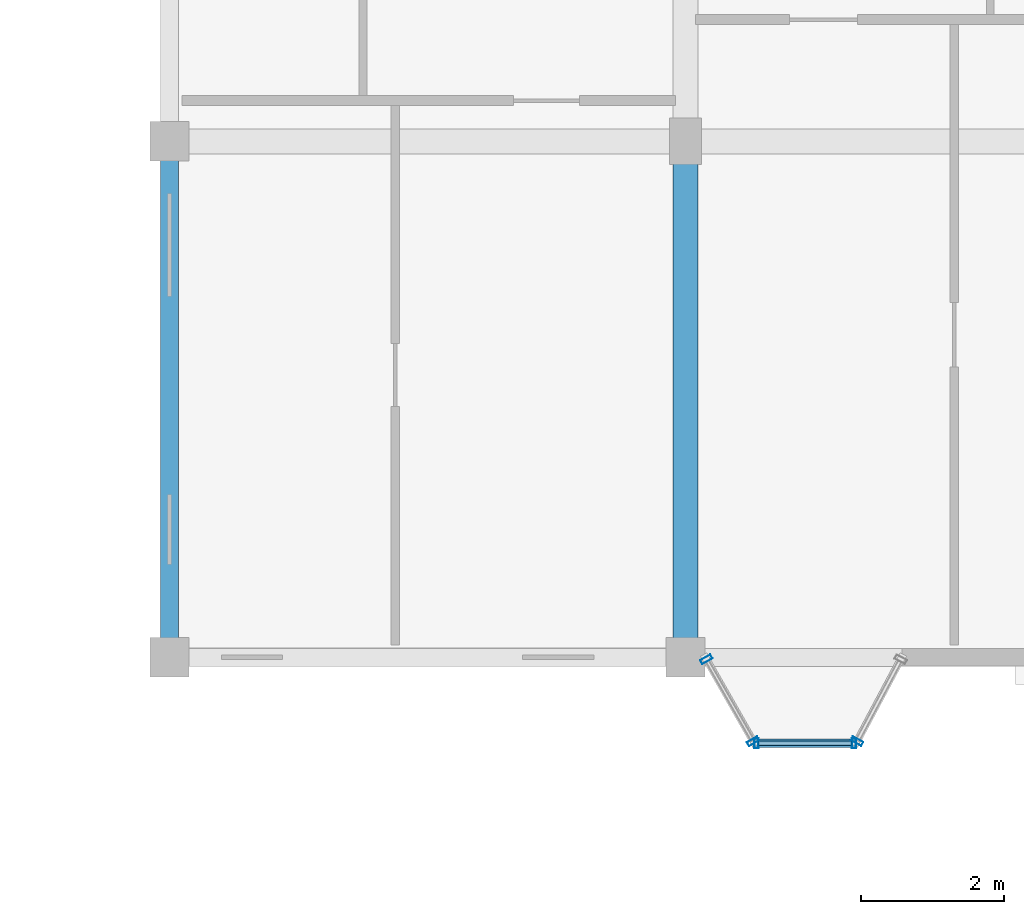
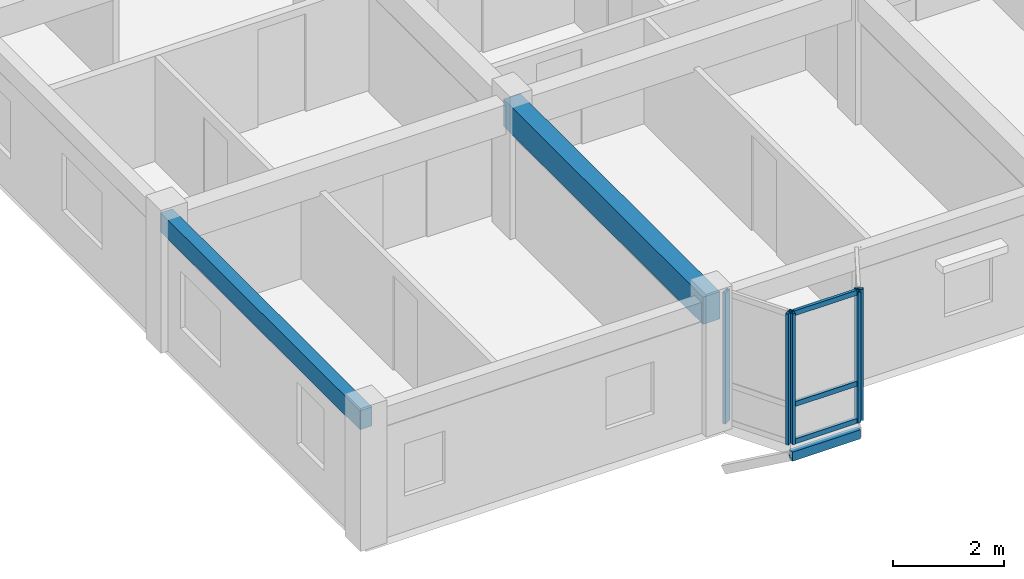
# One storey, part 32 of 77: 9 members, 2 beams, 3 elements without a shape of their own.
"""IFC4 building model written with IfcOpenShell, lengths in metres."""

from ifc_helpers import new_model, si_unit, direction, frame, origin, origin_2d, place, context, subcontext, project, spatial, rectangle, hollow_rectangle, extrude, material, layer, layer_set, material_profile, profile_set, type_object, element, aggregate, save


model = new_model("IFC4")

# Units and contexts
model_context = context("Model", 3, precision=1e-05, world=origin(), true_north=direction((0.0, 1.0)))
body_context = subcontext(model_context, "Body", "Model", "MODEL_VIEW")
ifc_project = project(units=[si_unit("LENGTHUNIT", "METRE"), si_unit("AREAUNIT", "SQUARE_METRE"), si_unit("VOLUMEUNIT", "CUBIC_METRE"), si_unit("PLANEANGLEUNIT", "RADIAN"), si_unit("MASSUNIT", "GRAM", prefix="KILO"), si_unit("THERMODYNAMICTEMPERATUREUNIT", "KELVIN"), si_unit("POWERUNIT", "WATT")], contexts=[model_context])

# Site, building, storey
site_placement = place(None, origin())
site = spatial("IfcSite", under=ifc_project, at=site_placement, CompositionType="ELEMENT")
building_placement = place(site_placement, origin())
building = spatial("IfcBuilding", under=site, at=building_placement, Name="Tavuni Mirador Residences", CompositionType="ELEMENT")
storey_placement = place(building_placement, frame((0.0, 0.0, 17.10009765625)))
storey = spatial("IfcBuildingStorey", under=building, at=storey_placement, Name="L05", CompositionType="ELEMENT", Elevation=17.10009765625)

# Beams
ifc_material_1 = material(Name="Precast concrete C40/50", Category="concrete")
ifc_material_profile_1 = material_profile(ifc_material_1, rectangle(XDim=0.35009765625, YDim=0.60009765625, at=origin_2d()), Name="PC 350x600", Category="concrete")
ifc_profile_set_1 = profile_set([ifc_material_profile_1], Name="Precast concrete C40/50")
beam_type_1 = type_object("IfcBeamType", Name="BT-B600", PredefinedType="BEAM", material=ifc_profile_set_1)
beam_1_placement = place(storey_placement, frame((18.0, 144.0, 2.5849609375), z_axis=(0.0, 1.0, 0.0), x_axis=(-1.0, 0.0, 0.0)))
element("IfcBeam", 1, at=beam_1_placement, inside=storey, type_object=beam_type_1, Name="BMY-BLK-C-L05-01-00", PredefinedType="BEAM", context=body_context, shape_type="SweptSolid", body=[
    extrude(rectangle(XDim=0.35009765625, YDim=0.60009765625, at=origin_2d()), origin(), (0.0, 0.0, 1.0), 7.199951171875),
])
ifc_material_profile_2 = material_profile(ifc_material_1, rectangle(XDim=0.25, YDim=0.419921875, at=origin_2d()), Name="PC 250x420", Category="concrete")
ifc_profile_set_2 = profile_set([ifc_material_profile_2], Name="Precast concrete C40/50")
beam_type_2 = type_object("IfcBeamType", Name="BT-SP420", PredefinedType="SPANDREL", material=ifc_profile_set_2)
beam_2_placement = place(storey_placement, frame((10.800048828125, 144.0, 2.6748046875), z_axis=(0.0, 1.0, 0.0), x_axis=(-1.0, 0.0, 0.0)))
element("IfcBeam", 2, at=beam_2_placement, inside=storey, type_object=beam_type_2, Name="BMY-BLK-C-L05-00-00", PredefinedType="SPANDREL", context=body_context, shape_type="SweptSolid", body=[
    extrude(rectangle(XDim=0.25, YDim=0.419921875, at=origin_2d()), origin(), (0.0, 0.0, 1.0), 7.199951171875),
])

# Curtain wall, members
ifc_material_2 = material(Name="Anodised aluminium", Category="aluminium")
ifc_layer_1 = layer(ifc_material_2, 0.175048828125, Name="Anodised aluminium", Category="aluminium")
ifc_layer_set_1 = layer_set([ifc_layer_1], Name="Anodised aluminium")
curtain_wall_type_1 = type_object("IfcCurtainWallType", Name="CWT-MIR-C", PredefinedType="NOTDEFINED", material=ifc_layer_set_1)
curtain_wall_1_placement = place(storey_placement, origin())
curtain_wall_1 = element("IfcCurtainWall", 3, at=curtain_wall_1_placement, inside=storey, type_object=curtain_wall_type_1, Name="CW-MIR-C-S1-L05-MF", PredefinedType="NOTDEFINED")
ifc_material_profile_3 = material_profile(ifc_material_2, hollow_rectangle(XDim=0.06005859375, YDim=0.139892578125, WallThickness=0.00390625, at=origin_2d()), Name="ALU 60x140x4.0", Category="aluminium")
ifc_profile_set_3 = profile_set([ifc_material_profile_3], Name="Anodised aluminium")
member_type_1 = type_object("IfcMemberType", Name="CWM-140", PredefinedType="MULLION", material=ifc_profile_set_3)
member_1_placement = place(storey_placement, frame((18.989990234375, 142.800048828125, 0.0), z_axis=(0.0, 0.0, 1.0), x_axis=(1.0, 0.0, 0.0)))
member_1 = element("IfcMember", 4, at=member_1_placement, type_object=member_type_1, Name="CW-03 mullion 1", PredefinedType="MULLION", context=body_context, shape_type="SweptSolid", body=[
    extrude(hollow_rectangle(XDim=0.06005859375, YDim=0.139892578125, WallThickness=0.00390625, at=origin_2d()), origin(), (0.0, 0.0, 1.0), 2.885009765625),
])
member_2_placement = place(storey_placement, frame((20.35009765625, 142.800048828125, 0.0), z_axis=(0.0, 0.0, 1.0), x_axis=(1.0, 0.0, 0.0)))
member_2 = element("IfcMember", 5, at=member_2_placement, type_object=member_type_1, Name="CW-03 mullion 2", PredefinedType="MULLION", context=body_context, shape_type="SweptSolid", body=[
    extrude(hollow_rectangle(XDim=0.06005859375, YDim=0.139892578125, WallThickness=0.00390625, at=origin_2d()), origin(), (0.0, 0.0, 1.0), 2.885009765625),
])

ifc_layer_2 = layer(ifc_material_2, 0.14990234375, Name="Anodised aluminium", Category="aluminium")
ifc_layer_set_2 = layer_set([ifc_layer_2], Name="Anodised aluminium")
curtain_wall_type_2 = type_object("IfcCurtainWallType", Name="CWT-MIR-B", PredefinedType="NOTDEFINED", material=ifc_layer_set_2)
curtain_wall_2_placement = place(storey_placement, origin())
curtain_wall_2 = element("IfcCurtainWall", 6, at=curtain_wall_2_placement, inside=storey, type_object=curtain_wall_type_2, Name="CW-MIR-C-S1-L05-M1", PredefinedType="NOTDEFINED")
ifc_material_profile_4 = material_profile(ifc_material_2, hollow_rectangle(XDim=0.06494140625, YDim=0.1650390625, WallThickness=0.00439453125, at=origin_2d()), Name="ALU 65x165x4.5", Category="aluminium")
ifc_profile_set_4 = profile_set([ifc_material_profile_4], Name="Anodised aluminium")
member_type_2 = type_object("IfcMemberType", Name="CWM-165", PredefinedType="MULLION", material=ifc_profile_set_4)
member_3_placement = place(storey_placement, frame((18.291015625, 143.9716796875, 0.0), z_axis=(0.0, 0.0, 1.0), x_axis=(0.495749192217, -0.868465738194, 0.0)))
member_3 = element("IfcMember", 7, at=member_3_placement, type_object=member_type_2, Name="CW-02 mullion 1", PredefinedType="MULLION", context=body_context, shape_type="SweptSolid", body=[
    extrude(hollow_rectangle(XDim=0.06494140625, YDim=0.1650390625, WallThickness=0.00439453125, at=origin_2d()), origin(), (0.0, 0.0, 1.0), 2.885009765625),
])
member_4_placement = place(storey_placement, frame((18.94384765625, 142.828125, 0.0), z_axis=(0.0, 0.0, 1.0), x_axis=(0.495749192217, -0.868465738194, 0.0)))
member_4 = element("IfcMember", 8, at=member_4_placement, type_object=member_type_2, Name="CW-02 mullion 2", PredefinedType="MULLION", context=body_context, shape_type="SweptSolid", body=[
    extrude(hollow_rectangle(XDim=0.06494140625, YDim=0.1650390625, WallThickness=0.00439453125, at=origin_2d()), origin(), (0.0, 0.0, 1.0), 2.885009765625),
])
aggregate(curtain_wall_2, [member_3, member_4])

# Curtain wall, member
ifc_layer_3 = layer(ifc_material_2, 0.159912109375, Name="Anodised aluminium", Category="aluminium")
ifc_layer_set_3 = layer_set([ifc_layer_3], Name="Anodised aluminium")
curtain_wall_type_3 = type_object("IfcCurtainWallType", Name="CWT-MIR-D", PredefinedType="NOTDEFINED", material=ifc_layer_set_3)
curtain_wall_3_placement = place(storey_placement, origin())
curtain_wall_3 = element("IfcCurtainWall", 9, at=curtain_wall_3_placement, inside=storey, type_object=curtain_wall_type_3, Name="CW-MIR-C-S1-L05-M2", PredefinedType="NOTDEFINED")
member_5_placement = place(storey_placement, frame((20.395263671875, 142.82861328125, 0.0), z_axis=(0.0, 0.0, 1.0), x_axis=(0.470588235296, 0.882352941175, 0.0)))
member_5 = element("IfcMember", 10, at=member_5_placement, type_object=member_type_2, Name="CW-04 mullion 1", PredefinedType="MULLION", context=body_context, shape_type="SweptSolid", body=[
    extrude(hollow_rectangle(XDim=0.06494140625, YDim=0.1650390625, WallThickness=0.00439453125, at=origin_2d()), origin(), (0.0, 0.0, 1.0), 2.885009765625),
])
aggregate(curtain_wall_3, [member_5])

# Member
ifc_material_profile_5 = material_profile(ifc_material_2, hollow_rectangle(XDim=0.06005859375, YDim=0.110107421875, WallThickness=0.00390625, at=origin_2d()), Name="ALU 60x110x4.0", Category="aluminium")
ifc_profile_set_5 = profile_set([ifc_material_profile_5], Name="Anodised aluminium")
member_type_3 = type_object("IfcMemberType", Name="CWT-110", PredefinedType="USERDEFINED", material=ifc_profile_set_5)
member_6_placement = place(storey_placement, frame((19.02001953125, 142.800048828125, 0.02978515625), z_axis=(1.0, 0.0, 0.0), x_axis=(0.0, 1.0, 0.0)))
member_6 = element("IfcMember", 11, at=member_6_placement, type_object=member_type_3, Name="CW-03 transom 1.1", ObjectType="TRANSOM", PredefinedType="USERDEFINED", context=body_context, shape_type="SweptSolid", body=[
    extrude(hollow_rectangle(XDim=0.06005859375, YDim=0.110107421875, WallThickness=0.00390625, at=origin_2d()), origin(), (0.0, 0.0, 1.0), 1.300048828125),
])

member_7_placement = place(storey_placement, frame((19.02001953125, 142.800048828125, 0.849853515625), z_axis=(1.0, 0.0, 0.0), x_axis=(0.0, 1.0, 0.0)))
member_7 = element("IfcMember", 12, at=member_7_placement, type_object=member_type_3, Name="CW-03 transom 1.2", ObjectType="TRANSOM", PredefinedType="USERDEFINED", context=body_context, shape_type="SweptSolid", body=[
    extrude(hollow_rectangle(XDim=0.06005859375, YDim=0.110107421875, WallThickness=0.00390625, at=origin_2d()), origin(), (0.0, 0.0, 1.0), 1.300048828125),
])

member_8_placement = place(storey_placement, frame((19.02001953125, 142.800048828125, 2.85498046875), z_axis=(1.0, 0.0, 0.0), x_axis=(0.0, 1.0, 0.0)))
member_8 = element("IfcMember", 13, at=member_8_placement, type_object=member_type_3, Name="CW-03 transom 1.3", ObjectType="TRANSOM", PredefinedType="USERDEFINED", context=body_context, shape_type="SweptSolid", body=[
    extrude(hollow_rectangle(XDim=0.06005859375, YDim=0.110107421875, WallThickness=0.00390625, at=origin_2d()), origin(), (0.0, 0.0, 1.0), 1.300048828125),
])

aggregate(curtain_wall_1, [member_1, member_2, member_6, member_7, member_8])

ifc_material_3 = material(Name="Structural steel S355", Category="steel")
ifc_material_profile_6 = material_profile(ifc_material_3, hollow_rectangle(XDim=0.1201171875, YDim=0.199951171875, WallThickness=0.010009765625, at=origin_2d()), Name="RHS 200x120x10.0", Category="steel")
ifc_profile_set_6 = profile_set([ifc_material_profile_6], Name="Structural steel S355")
member_type_4 = type_object("IfcMemberType", Name="MT-ST-RHS200", PredefinedType="STRUT", material=ifc_profile_set_6)
member_9_placement = place(storey_placement, frame((18.9599609375, 142.800048828125, -0.26513671875), z_axis=(1.0, 0.0, 0.0), x_axis=(0.0, 1.0, 0.0)))
element("IfcMember", 14, at=member_9_placement, inside=storey, type_object=member_type_4, Name="MRIM-MIR-C-S1-L05", PredefinedType="STRUT", context=body_context, shape_type="SweptSolid", body=[
    extrude(hollow_rectangle(XDim=0.1201171875, YDim=0.199951171875, WallThickness=0.010009765625, at=origin_2d()), origin(), (0.0, 0.0, 1.0), 1.419921875),
])

save(model, "model.ifc")
